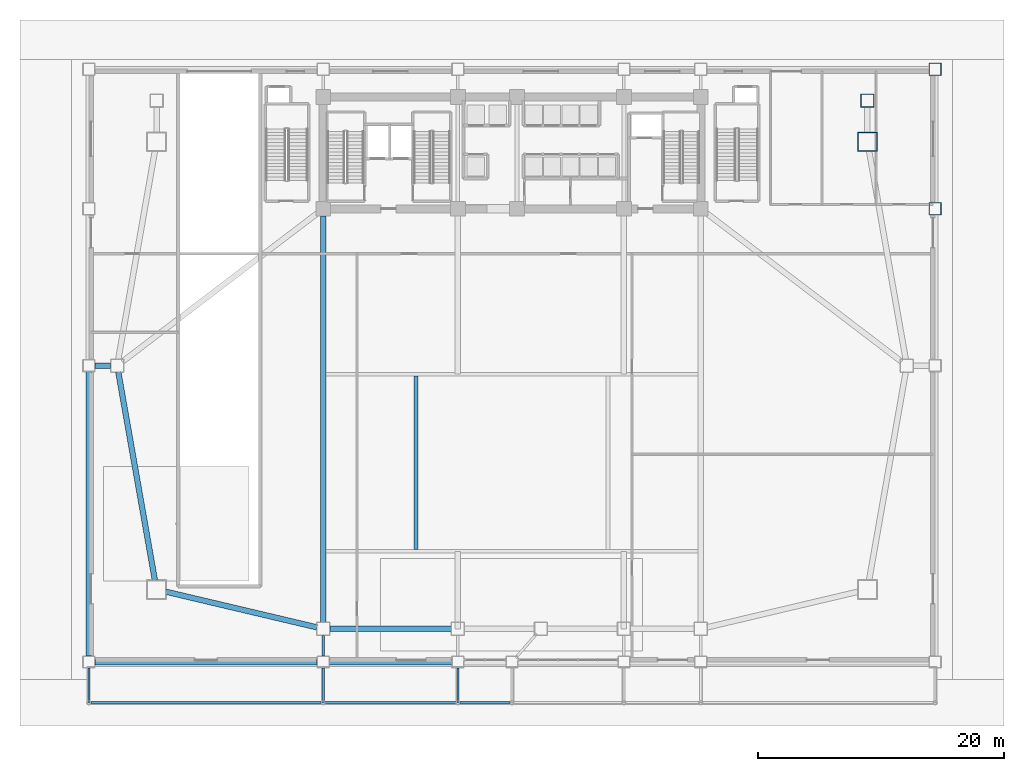
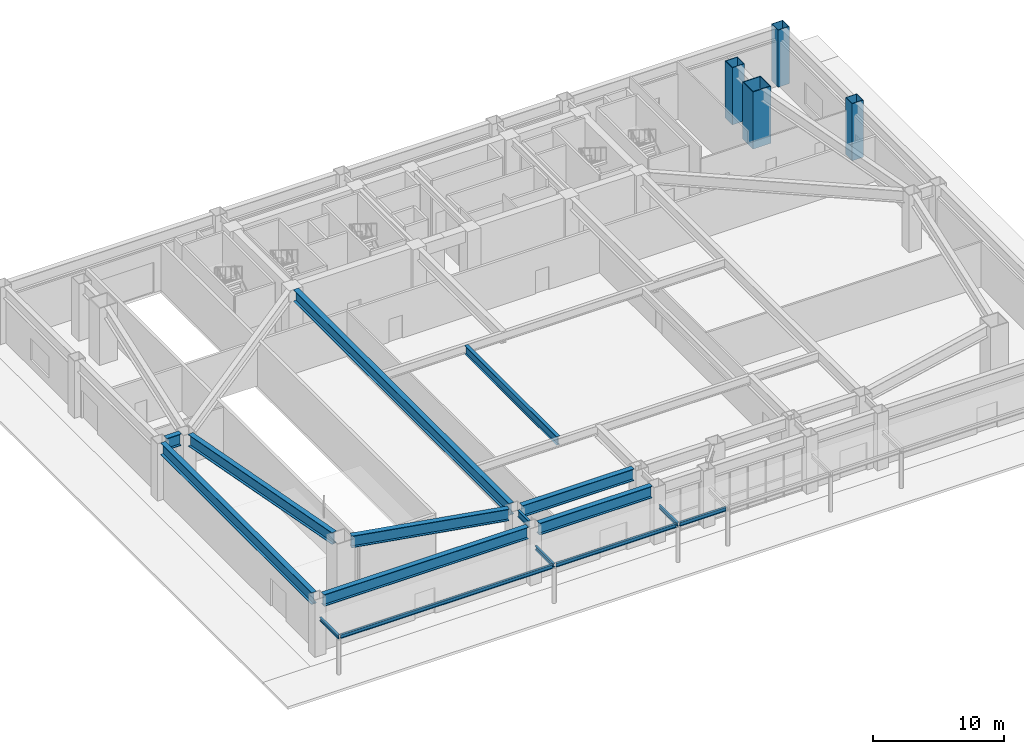
# One storey, part 5 of 18: 16 beams, 4 columns.
"""IFC4 building model written with IfcOpenShell, lengths in metres."""

from ifc_helpers import new_model, si_unit, direction, frame, origin, origin_2d, place, context, subcontext, project, spatial, hollow_rectangle, i_section, extrude, source, transform, mapped, material, material_profile, profile_set, type_object, element, save


model = new_model("IFC4")

# Units and contexts
model_context = context("Model", 3, precision=1e-05, world=origin(), true_north=direction((0.0, 1.0)))
body_context = subcontext(model_context, "Body", "Model", "MODEL_VIEW")
ifc_project = project(units=[si_unit("LENGTHUNIT", "METRE"), si_unit("AREAUNIT", "SQUARE_METRE"), si_unit("VOLUMEUNIT", "CUBIC_METRE"), si_unit("PLANEANGLEUNIT", "RADIAN"), si_unit("MASSUNIT", "GRAM", prefix="KILO")], contexts=[model_context])

# Site, building, storey
site_placement = place(None, origin())
site = spatial("IfcSite", under=ifc_project, at=site_placement, CompositionType="ELEMENT")
building_placement = place(site_placement, origin())
building = spatial("IfcBuilding", under=site, at=building_placement, Name="Giltprow Tower", CompositionType="ELEMENT")
storey_placement = place(building_placement, origin())
storey = spatial("IfcBuildingStorey", under=building, at=storey_placement, Name="L01", CompositionType="ELEMENT", Elevation=0.0)

# Columns
ifc_material_1 = material(Name="Structural steel Q420GJC", Category="steel")
ifc_material_profile_1 = material_profile(ifc_material_1, hollow_rectangle(XDim=1.60009765625, YDim=1.60009765625, WallThickness=0.074951171875, at=origin_2d()), Name="BOX 1600x1600x75")
ifc_profile_set_1 = profile_set([ifc_material_profile_1], Name="Structural steel Q420GJC")
column_type_1 = type_object("IfcColumnType", Name="COL-BOX-1600x1600x75", PredefinedType="COLUMN", material=ifc_profile_set_1)
shared_shape_1 = source(origin(), body_context, "Body", "SweptSolid", [
    extrude(hollow_rectangle(XDim=1.60009765625, YDim=1.60009765625, WallThickness=0.074951171875, at=origin_2d()), origin(), (0.0, 0.0, 1.0), 5.340087890625),
])
column_1_placement = place(storey_placement, frame((64.10009765625, 42.89990234375, 0.0), z_axis=(0.0, 0.0, 1.0), x_axis=(1.0, 0.0, 0.0)))
element("IfcColumn", 1, at=column_1_placement, inside=storey, type_object=column_type_1, Name="L01 Continuous Tower Column MC_NE", PredefinedType="COLUMN", context=body_context, shape_type="MappedRepresentation", body=[
    mapped(shared_shape_1, transform((0.0, 0.0, 0.0), x_axis=(1.0, 0.0, 0.0), y_axis=(0.0, 1.0, 0.0), z_axis=(0.0, 0.0, 1.0), scale=1.0)),
])
ifc_material_profile_2 = material_profile(ifc_material_1, hollow_rectangle(XDim=1.10009765625, YDim=1.10009765625, WallThickness=0.050048828125, at=origin_2d()), Name="BOX 1100x1100x50")
ifc_profile_set_2 = profile_set([ifc_material_profile_2], Name="Structural steel Q420GJC")
column_type_2 = type_object("IfcColumnType", Name="COL-BOX-1100x1100x50", PredefinedType="COLUMN", material=ifc_profile_set_2)
shared_shape_2 = source(origin(), body_context, "Body", "SweptSolid", [
    extrude(hollow_rectangle(XDim=1.10009765625, YDim=1.10009765625, WallThickness=0.050048828125, at=origin_2d()), origin(), (0.0, 0.0, 1.0), 5.340087890625),
])
column_2_placement = place(storey_placement, frame((64.10009765625, 46.25, 0.0), z_axis=(0.0, 0.0, 1.0), x_axis=(1.0, 0.0, 0.0)))
element("IfcColumn", 2, at=column_2_placement, inside=storey, type_object=column_type_2, Name="L01 Continuous Tower Column N_E", PredefinedType="COLUMN", context=body_context, shape_type="MappedRepresentation", body=[
    mapped(shared_shape_2, transform((0.0, 0.0, 0.0), x_axis=(1.0, 0.0, 0.0), y_axis=(0.0, 1.0, 0.0), z_axis=(0.0, 0.0, 1.0), scale=1.0)),
])
ifc_material_profile_3 = material_profile(ifc_material_1, hollow_rectangle(XDim=1.0, YDim=1.0, WallThickness=0.044921875, at=origin_2d()), Name="BOX 1000x1000x45")
ifc_profile_set_3 = profile_set([ifc_material_profile_3], Name="Structural steel Q420GJC")
column_type_3 = type_object("IfcColumnType", Name="COL-BOX-1000x1000x45", PredefinedType="COLUMN", material=ifc_profile_set_3)
shared_shape_3 = source(origin(), body_context, "Body", "SweptSolid", [
    extrude(hollow_rectangle(XDim=1.0, YDim=1.0, WallThickness=0.044921875, at=origin_2d()), origin(), (0.0, 0.0, 1.0), 5.340087890625),
])
for number, where, z_axis, x_axis, name in (
    (3, (69.60009765625, 37.449951171875, 0.0), (0.0, 0.0, 1.0), (1.0, 0.0, 0.0), "L01 Podium Column (69.6,37.5)"),
    (4, (69.60009765625, 48.800048828125, 0.0), (0.0, 0.0, 1.0), (1.0, 0.0, 0.0), "L01 Podium Column (69.6,48.8)"),
):
    element("IfcColumn", number, at=place(storey_placement, frame(where, z_axis=z_axis, x_axis=x_axis)), inside=storey, type_object=column_type_3, Name=name, PredefinedType="COLUMN", context=body_context, shape_type="MappedRepresentation", body=[
        mapped(shared_shape_3, transform((0.0, 0.0, 0.0), x_axis=(1.0, 0.0, 0.0), y_axis=(0.0, 1.0, 0.0), z_axis=(0.0, 0.0, 1.0), scale=1.0)),
    ])

# Beams
ifc_material_profile_4 = material_profile(ifc_material_1, i_section(OverallWidth=0.449951171875, OverallDepth=1.10009765625, WebThickness=0.02587890625, FlangeThickness=0.0419921875, at=origin_2d()), Name="WH 1100x450x26x42")
ifc_profile_set_4 = profile_set([ifc_material_profile_4], Name="Structural steel Q420GJC")
beam_type_1 = type_object("IfcBeamType", Name="BM-GIRD-WH1100", PredefinedType="BEAM", material=ifc_profile_set_4)
shared_shape_4 = source(origin(), body_context, "Body", "SweptSolid", [
    extrude(i_section(OverallWidth=0.449951171875, OverallDepth=1.10009765625, WebThickness=0.02587890625, FlangeThickness=0.0419921875, at=origin_2d()), origin(), (0.0, 0.0, 1.0), 12.6025390625),
])
beam_1_placement = place(storey_placement, frame((7.06396484375, 6.320068359375, 4.7900390625), z_axis=(0.973221185684, -0.22987066741, 0.0), x_axis=(0.22987066741, 0.973221185684, 0.0)))
element("IfcBeam", 5, at=beam_1_placement, inside=storey, type_object=beam_type_1, Name="L01 Tower Base Ring Girder 1", PredefinedType="BEAM", context=body_context, shape_type="MappedRepresentation", body=[
    mapped(shared_shape_4, transform((0.0, 0.0, 0.0), x_axis=(1.0, 0.0, 0.0), y_axis=(0.0, 1.0, 0.0), z_axis=(0.0, 0.0, 1.0), scale=1.0)),
])
shared_shape_5 = source(origin(), body_context, "Body", "SweptSolid", [
    extrude(i_section(OverallWidth=0.449951171875, OverallDepth=1.10009765625, WebThickness=0.02587890625, FlangeThickness=0.0419921875, at=origin_2d()), origin(), (0.0, 0.0, 1.0), 9.8798828125),
])
beam_2_placement = place(storey_placement, frame((20.385009765625, 3.300048828125, 4.7900390625), z_axis=(1.0, 0.0, 0.0), x_axis=(0.0, 1.0, 0.0)))
element("IfcBeam", 6, at=beam_2_placement, inside=storey, type_object=beam_type_1, Name="L01 Tower Base Ring Girder 2", PredefinedType="BEAM", context=body_context, shape_type="MappedRepresentation", body=[
    mapped(shared_shape_5, transform((0.0, 0.0, 0.0), x_axis=(1.0, 0.0, 0.0), y_axis=(0.0, 1.0, 0.0), z_axis=(0.0, 0.0, 1.0), scale=1.0)),
])
shared_shape_6 = source(origin(), body_context, "Body", "SweptSolid", [
    extrude(i_section(OverallWidth=0.449951171875, OverallDepth=1.10009765625, WebThickness=0.02587890625, FlangeThickness=0.0419921875, at=origin_2d()), origin(), (0.0, 0.0, 1.0), 17.1591796875),
])
beam_3_placement = place(storey_placement, frame((3.193115234375, 24.173095703125, 4.7900390625), z_axis=(0.173139216532, -0.984897360997, 0.0), x_axis=(0.984897360997, 0.173139216532, 0.0)))
element("IfcBeam", 7, at=beam_3_placement, inside=storey, type_object=beam_type_1, Name="L01 Tower Base Ring Girder 12", PredefinedType="BEAM", context=body_context, shape_type="MappedRepresentation", body=[
    mapped(shared_shape_6, transform((0.0, 0.0, 0.0), x_axis=(1.0, 0.0, 0.0), y_axis=(0.0, 1.0, 0.0), z_axis=(0.0, 0.0, 1.0), scale=1.0)),
])
shared_shape_7 = source(origin(), body_context, "Body", "SweptSolid", [
    extrude(i_section(OverallWidth=0.449951171875, OverallDepth=1.10009765625, WebThickness=0.02587890625, FlangeThickness=0.0419921875, at=origin_2d()), origin(), (0.0, 0.0, 1.0), 33.030029296875),
])
beam_4_placement = place(storey_placement, frame((19.85009765625, 3.8349609375, 4.7900390625), z_axis=(0.0, 1.0, 0.0), x_axis=(-1.0, 0.0, 0.0)))
element("IfcBeam", 8, at=beam_4_placement, inside=storey, type_object=beam_type_1, Name="L01 Primary Podium Span Girder S1", PredefinedType="BEAM", context=body_context, shape_type="MappedRepresentation", body=[
    mapped(shared_shape_7, transform((0.0, 0.0, 0.0), x_axis=(1.0, 0.0, 0.0), y_axis=(0.0, 1.0, 0.0), z_axis=(0.0, 0.0, 1.0), scale=1.0)),
])
shared_shape_8 = source(origin(), body_context, "Body", "SweptSolid", [
    extrude(i_section(OverallWidth=0.449951171875, OverallDepth=1.10009765625, WebThickness=0.02587890625, FlangeThickness=0.0419921875, at=origin_2d()), origin(), (0.0, 0.0, 1.0), 18.080078125),
])
beam_5_placement = place(storey_placement, frame((1.284912109375, 0.60009765625, 4.7900390625), z_axis=(1.0, 0.0, 0.0), x_axis=(0.0, 1.0, 0.0)))
element("IfcBeam", 9, at=beam_5_placement, inside=storey, type_object=beam_type_1, Name="L01 Podium South Edge Girder", PredefinedType="BEAM", context=body_context, shape_type="MappedRepresentation", body=[
    mapped(shared_shape_8, transform((0.0, 0.0, 0.0), x_axis=(1.0, 0.0, 0.0), y_axis=(0.0, 1.0, 0.0), z_axis=(0.0, 0.0, 1.0), scale=1.0)),
])
shared_shape_9 = source(origin(), body_context, "Body", "SweptSolid", [
    extrude(i_section(OverallWidth=0.449951171875, OverallDepth=1.10009765625, WebThickness=0.02587890625, FlangeThickness=0.0419921875, at=origin_2d()), origin(), (0.0, 0.0, 1.0), 9.97998046875),
])
beam_6_placement = place(storey_placement, frame((20.3349609375, 0.60009765625, 4.7900390625), z_axis=(1.0, 0.0, 0.0), x_axis=(0.0, 1.0, 0.0)))
element("IfcBeam", 10, at=beam_6_placement, inside=storey, type_object=beam_type_1, Name="L01 Podium South Edge Girder", PredefinedType="BEAM", context=body_context, shape_type="MappedRepresentation", body=[
    mapped(shared_shape_9, transform((0.0, 0.0, 0.0), x_axis=(1.0, 0.0, 0.0), y_axis=(0.0, 1.0, 0.0), z_axis=(0.0, 0.0, 1.0), scale=1.0)),
])
shared_shape_10 = source(origin(), body_context, "Body", "SweptSolid", [
    extrude(i_section(OverallWidth=0.449951171875, OverallDepth=1.10009765625, WebThickness=0.02587890625, FlangeThickness=0.0419921875, at=origin_2d()), origin(), (0.0, 0.0, 1.0), 23.130126953125),
])
beam_7_placement = place(storey_placement, frame((0.800048828125, 1.0849609375, 4.7900390625), z_axis=(0.0, 1.0, 0.0), x_axis=(-1.0, 0.0, 0.0)))
element("IfcBeam", 11, at=beam_7_placement, inside=storey, type_object=beam_type_1, Name="L01 Podium Side Girder", PredefinedType="BEAM", context=body_context, shape_type="MappedRepresentation", body=[
    mapped(shared_shape_10, transform((0.0, 0.0, 0.0), x_axis=(1.0, 0.0, 0.0), y_axis=(0.0, 1.0, 0.0), z_axis=(0.0, 0.0, 1.0), scale=1.0)),
])
ifc_material_2 = material(Name="Structural steel Q355B", Category="steel")
ifc_material_profile_5 = material_profile(ifc_material_2, i_section(OverallWidth=0.199951171875, OverallDepth=0.60009765625, WebThickness=0.010986328125, FlangeThickness=0.01708984375, at=origin_2d()), Name="HN 600x200x11x17")
ifc_profile_set_5 = profile_set([ifc_material_profile_5], Name="Structural steel Q355B")
beam_type_2 = type_object("IfcBeamType", Name="BM-GIRD-HN600", PredefinedType="BEAM", material=ifc_profile_set_5)
shared_shape_11 = source(origin(), body_context, "Body", "SweptSolid", [
    extrude(i_section(OverallWidth=0.199951171875, OverallDepth=0.60009765625, WebThickness=0.010986328125, FlangeThickness=0.01708984375, at=origin_2d()), origin(), (0.0, 0.0, 1.0), 1.679931640625),
])
beam_8_placement = place(storey_placement, frame((19.85009765625, 1.0849609375, 5.0400390625), z_axis=(0.0, 1.0, 0.0), x_axis=(-1.0, 0.0, 0.0)))
element("IfcBeam", 12, at=beam_8_placement, inside=storey, type_object=beam_type_2, Name="L01 South Perimeter Tie S1", PredefinedType="BEAM", context=body_context, shape_type="MappedRepresentation", body=[
    mapped(shared_shape_11, transform((0.0, 0.0, 0.0), x_axis=(1.0, 0.0, 0.0), y_axis=(0.0, 1.0, 0.0), z_axis=(0.0, 0.0, 1.0), scale=1.0)),
])
shared_shape_12 = source(origin(), body_context, "Body", "SweptSolid", [
    extrude(i_section(OverallWidth=0.449951171875, OverallDepth=1.10009765625, WebThickness=0.02587890625, FlangeThickness=0.0419921875, at=origin_2d()), origin(), (0.0, 0.0, 1.0), 1.280029296875),
])
beam_9_placement = place(storey_placement, frame((1.284912109375, 24.699951171875, 4.7900390625), z_axis=(1.0, 0.0, 0.0), x_axis=(0.0, 1.0, 0.0)))
element("IfcBeam", 13, at=beam_9_placement, inside=storey, type_object=beam_type_1, Name="L01 West Tie 1", PredefinedType="BEAM", context=body_context, shape_type="MappedRepresentation", body=[
    mapped(shared_shape_12, transform((0.0, 0.0, 0.0), x_axis=(1.0, 0.0, 0.0), y_axis=(0.0, 1.0, 0.0), z_axis=(0.0, 0.0, 1.0), scale=1.0)),
])
ifc_material_profile_6 = material_profile(ifc_material_2, i_section(OverallWidth=0.300048828125, OverallDepth=0.800048828125, WebThickness=0.013916015625, FlangeThickness=0.02587890625, at=origin_2d()), Name="HN 800x300x14x26")
ifc_profile_set_6 = profile_set([ifc_material_profile_6], Name="Structural steel Q355B")
beam_type_3 = type_object("IfcBeamType", Name="BM-GIRD-HN800", PredefinedType="BEAM", material=ifc_profile_set_6)
shared_shape_13 = source(origin(), body_context, "Body", "SweptSolid", [
    extrude(i_section(OverallWidth=0.300048828125, OverallDepth=0.800048828125, WebThickness=0.013916015625, FlangeThickness=0.02587890625, at=origin_2d()), origin(), (0.0, 0.0, 1.0), 14.10009765625),
])
beam_10_placement = place(storey_placement, frame((27.39990234375, 9.75, 4.93994140625), z_axis=(0.0, 1.0, 0.0), x_axis=(-1.0, 0.0, 0.0)))
element("IfcBeam", 14, at=beam_10_placement, inside=storey, type_object=beam_type_3, Name="L01 Atrium Edge Girder W", PredefinedType="BEAM", context=body_context, shape_type="MappedRepresentation", body=[
    mapped(shared_shape_13, transform((0.0, 0.0, 0.0), x_axis=(1.0, 0.0, 0.0), y_axis=(0.0, 1.0, 0.0), z_axis=(0.0, 0.0, 1.0), scale=1.0)),
])
ifc_material_profile_7 = material_profile(ifc_material_2, i_section(OverallWidth=0.175048828125, OverallDepth=0.35009765625, WebThickness=0.007080078125, FlangeThickness=0.010986328125, at=origin_2d()), Name="HN 350x175x7x11")
ifc_profile_set_7 = profile_set([ifc_material_profile_7], Name="Structural steel Q355B")
beam_type_4 = type_object("IfcBeamType", Name="BM-CANOPY-ARM", PredefinedType="BEAM", material=ifc_profile_set_7)
shared_shape_14 = source(origin(), body_context, "Body", "SweptSolid", [
    extrude(i_section(OverallWidth=0.175048828125, OverallDepth=0.35009765625, WebThickness=0.007080078125, FlangeThickness=0.010986328125, at=origin_2d()), origin(), (0.0, 0.0, 1.0), 2.81005859375),
])
for number, where, z_axis, x_axis, name in (
    (15, (0.800048828125, -2.699951171875, 3.445068359375), (0.0, 1.0, 0.0), (-1.0, 0.0, 0.0), "Promenade Canopy Arm 1"),
    (16, (19.85009765625, -2.699951171875, 3.445068359375), (0.0, 1.0, 0.0), (-1.0, 0.0, 0.0), "Promenade Canopy Arm 2"),
    (17, (30.800048828125, -2.699951171875, 3.445068359375), (0.0, 1.0, 0.0), (-1.0, 0.0, 0.0), "Promenade Canopy Arm 3"),
):
    element("IfcBeam", number, at=place(storey_placement, frame(where, z_axis=z_axis, x_axis=x_axis)), inside=storey, type_object=beam_type_4, Name=name, PredefinedType="BEAM", context=body_context, shape_type="MappedRepresentation", body=[
        mapped(shared_shape_14, transform((0.0, 0.0, 0.0), x_axis=(1.0, 0.0, 0.0), y_axis=(0.0, 1.0, 0.0), z_axis=(0.0, 0.0, 1.0), scale=1.0)),
    ])
shared_shape_15 = source(origin(), body_context, "Body", "SweptSolid", [
    extrude(i_section(OverallWidth=0.175048828125, OverallDepth=0.35009765625, WebThickness=0.007080078125, FlangeThickness=0.010986328125, at=origin_2d()), origin(), (0.0, 0.0, 1.0), 18.72998046875),
])
beam_11_placement = place(storey_placement, frame((0.9599609375, -2.699951171875, 3.445068359375), z_axis=(1.0, 0.0, 0.0), x_axis=(0.0, 1.0, 0.0)))
element("IfcBeam", 18, at=beam_11_placement, inside=storey, type_object=beam_type_4, Name="Promenade Canopy Tie Beam 1", PredefinedType="BEAM", context=body_context, shape_type="MappedRepresentation", body=[
    mapped(shared_shape_15, transform((0.0, 0.0, 0.0), x_axis=(1.0, 0.0, 0.0), y_axis=(0.0, 1.0, 0.0), z_axis=(0.0, 0.0, 1.0), scale=1.0)),
])
shared_shape_16 = source(origin(), body_context, "Body", "SweptSolid", [
    extrude(i_section(OverallWidth=0.175048828125, OverallDepth=0.35009765625, WebThickness=0.007080078125, FlangeThickness=0.010986328125, at=origin_2d()), origin(), (0.0, 0.0, 1.0), 10.6298828125),
])
beam_12_placement = place(storey_placement, frame((20.010009765625, -2.699951171875, 3.445068359375), z_axis=(1.0, 0.0, 0.0), x_axis=(0.0, 1.0, 0.0)))
element("IfcBeam", 19, at=beam_12_placement, inside=storey, type_object=beam_type_4, Name="Promenade Canopy Tie Beam 2", PredefinedType="BEAM", context=body_context, shape_type="MappedRepresentation", body=[
    mapped(shared_shape_16, transform((0.0, 0.0, 0.0), x_axis=(1.0, 0.0, 0.0), y_axis=(0.0, 1.0, 0.0), z_axis=(0.0, 0.0, 1.0), scale=1.0)),
])
shared_shape_17 = source(origin(), body_context, "Body", "SweptSolid", [
    extrude(i_section(OverallWidth=0.175048828125, OverallDepth=0.35009765625, WebThickness=0.007080078125, FlangeThickness=0.010986328125, at=origin_2d()), origin(), (0.0, 0.0, 1.0), 4.080078125),
])
beam_13_placement = place(storey_placement, frame((30.9599609375, -2.699951171875, 3.445068359375), z_axis=(1.0, 0.0, 0.0), x_axis=(0.0, 1.0, 0.0)))
element("IfcBeam", 20, at=beam_13_placement, inside=storey, type_object=beam_type_4, Name="Promenade Canopy Tie Beam 3", PredefinedType="BEAM", context=body_context, shape_type="MappedRepresentation", body=[
    mapped(shared_shape_17, transform((0.0, 0.0, 0.0), x_axis=(1.0, 0.0, 0.0), y_axis=(0.0, 1.0, 0.0), z_axis=(0.0, 0.0, 1.0), scale=1.0)),
])

save(model, "model.ifc")
